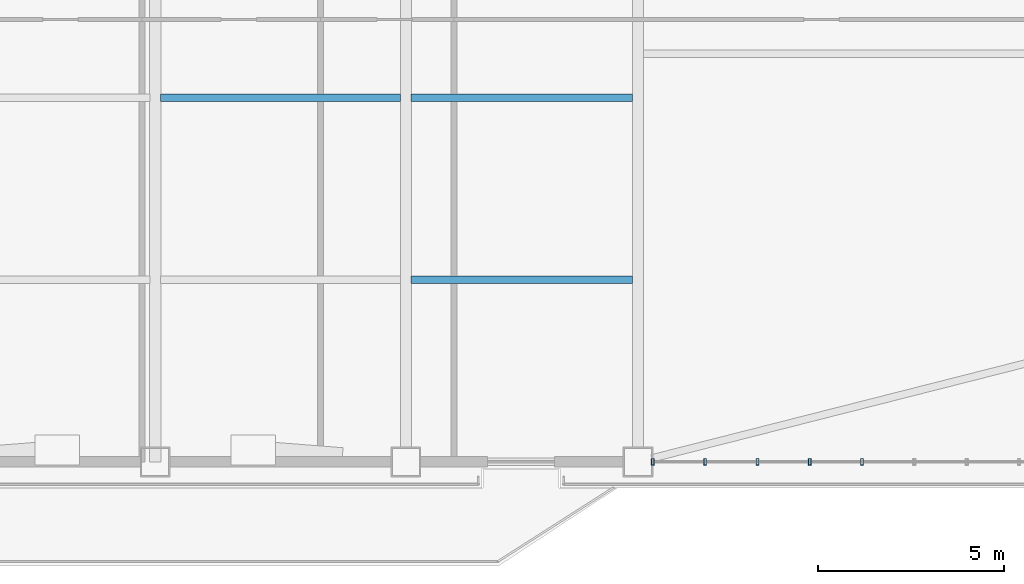
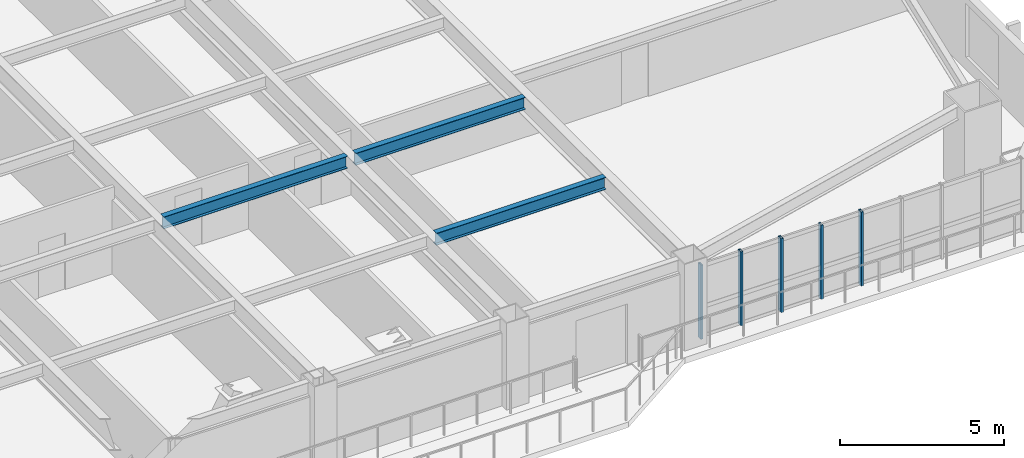
# One storey, part 4 of 17: 5 members, 3 beams, 1 element without a shape of its own.
"""IFC4 building model written with IfcOpenShell, lengths in metres."""

from ifc_helpers import new_model, si_unit, direction, frame, origin, origin_2d, place, context, subcontext, project, spatial, hollow_rectangle, i_section, extrude, source, transform, mapped, material, layer, layer_set, material_profile, profile_set, type_object, element, aggregate, save


model = new_model("IFC4")

# Units and contexts
model_context = context("Model", 3, precision=1e-05, world=origin(), true_north=direction((0.0, 1.0)))
body_context = subcontext(model_context, "Body", "Model", "MODEL_VIEW")
ifc_project = project(units=[si_unit("LENGTHUNIT", "METRE"), si_unit("AREAUNIT", "SQUARE_METRE"), si_unit("VOLUMEUNIT", "CUBIC_METRE"), si_unit("PLANEANGLEUNIT", "RADIAN"), si_unit("MASSUNIT", "GRAM", prefix="KILO")], contexts=[model_context])

# Site, building, storey
site_placement = place(None, origin())
site = spatial("IfcSite", under=ifc_project, at=site_placement, CompositionType="ELEMENT")
building_placement = place(site_placement, origin())
building = spatial("IfcBuilding", under=site, at=building_placement, Name="Giltprow Tower", CompositionType="ELEMENT")
storey_placement = place(building_placement, frame((0.0, 0.0, 141.199951171875)))
storey = spatial("IfcBuildingStorey", under=building, at=storey_placement, Name="L34", CompositionType="ELEMENT", Elevation=141.199951171875)

# Beams
ifc_material_1 = material(Name="Structural steel Q355B", Category="steel")
ifc_material_profile_1 = material_profile(ifc_material_1, i_section(OverallWidth=0.199951171875, OverallDepth=0.449951171875, WebThickness=0.009033203125, FlangeThickness=0.013916015625, at=origin_2d()), Name="HN 450x200x9x14")
ifc_profile_set_1 = profile_set([ifc_material_profile_1], Name="Structural steel Q355B")
beam_type = type_object("IfcBeamType", Name="BM-JOIST-HN450", PredefinedType="JOIST", material=ifc_profile_set_1)
shared_shape_1 = source(origin(), body_context, "Body", "SweptSolid", [
    extrude(i_section(OverallWidth=0.199951171875, OverallDepth=0.449951171875, WebThickness=0.009033203125, FlangeThickness=0.013916015625, at=origin_2d()), origin(), (0.0, 0.0, 1.0), 6.4599609375),
])
beam_placement = place(storey_placement, frame((37.695068359375, 17.846923828125, 2.9951171875), z_axis=(1.0, 0.0, 0.0), x_axis=(0.0, 1.0, 0.0)))
element("IfcBeam", 1, at=beam_placement, inside=storey, type_object=beam_type, Name="L34 Composite Floor Joist 2-3", PredefinedType="JOIST", context=body_context, shape_type="MappedRepresentation", body=[
    mapped(shared_shape_1, transform((0.0, 0.0, 0.0), x_axis=(1.0, 0.0, 0.0), y_axis=(0.0, 1.0, 0.0), z_axis=(0.0, 0.0, 1.0), scale=1.0)),
])
shared_shape_2 = source(origin(), body_context, "Body", "SweptSolid", [
    extrude(i_section(OverallWidth=0.199951171875, OverallDepth=0.449951171875, WebThickness=0.009033203125, FlangeThickness=0.013916015625, at=origin_2d()), origin(), (0.0, 0.0, 1.0), 5.9599609375),
])
for number, where, z_axis, x_axis, name in (
    (2, (44.445068359375, 12.946044921875, 2.9951171875), (1.0, 0.0, 0.0), (0.0, 1.0, 0.0), "L34 Composite Floor Joist 1-4"),
    (3, (44.445068359375, 17.846923828125, 2.9951171875), (1.0, 0.0, 0.0), (0.0, 1.0, 0.0), "L34 Composite Floor Joist 2-4"),
):
    element("IfcBeam", number, at=place(storey_placement, frame(where, z_axis=z_axis, x_axis=x_axis)), inside=storey, type_object=beam_type, Name=name, PredefinedType="JOIST", context=body_context, shape_type="MappedRepresentation", body=[
        mapped(shared_shape_2, transform((0.0, 0.0, 0.0), x_axis=(1.0, 0.0, 0.0), y_axis=(0.0, 1.0, 0.0), z_axis=(0.0, 0.0, 1.0), scale=1.0)),
    ])

# Curtain wall, members
ifc_material_2 = material(Name="Anodized bronze", Category="metal")
ifc_layer = layer(ifc_material_2, 0.179931640625, Name="Anodized bronze")
ifc_layer_set = layer_set([ifc_layer], Name="Anodized bronze")
curtain_wall_type = type_object("IfcCurtainWallType", Name="CW-HTL-BRONZE", PredefinedType="NOTDEFINED", material=ifc_layer_set)
curtain_wall_placement = place(storey_placement, origin())
curtain_wall = element("IfcCurtainWall", 4, at=curtain_wall_placement, inside=storey, type_object=curtain_wall_type, Name="L34 South Recessed Curtain Wall 6", PredefinedType="NOTDEFINED")
ifc_material_profile_2 = material_profile(ifc_material_2, hollow_rectangle(XDim=0.074951171875, YDim=0.179931640625, WallThickness=0.008056640625, at=origin_2d()), Name="RHS 180x75x8")
ifc_profile_set_2 = profile_set([ifc_material_profile_2], Name="Anodized bronze")
member_type = type_object("IfcMemberType", Name="CW-MULLION-180x75", PredefinedType="MULLION", material=ifc_profile_set_2)
shared_shape_3 = source(origin(), body_context, "Body", "SweptSolid", [
    extrude(hollow_rectangle(XDim=0.074951171875, YDim=0.179931640625, WallThickness=0.008056640625, at=origin_2d()), origin(), (0.0, 0.0, 1.0), 2.755126953125),
])
member_1_placement = place(storey_placement, frame((50.949951171875, 8.044921875, -0.02001953125), z_axis=(0.0, 0.0, 1.0), x_axis=(1.0, 0.0, 0.0)))
member_1 = element("IfcMember", 5, at=member_1_placement, type_object=member_type, Name="L34 South Recessed Curtain Wall 6 Mullion 1", PredefinedType="MULLION", context=body_context, shape_type="MappedRepresentation", body=[
    mapped(shared_shape_3, transform((0.0, 0.0, 0.0), x_axis=(1.0, 0.0, 0.0), y_axis=(0.0, 1.0, 0.0), z_axis=(0.0, 0.0, 1.0), scale=1.0)),
])
member_2_placement = place(storey_placement, frame((52.35888671875, 8.044921875, -0.02001953125), z_axis=(0.0, 0.0, 1.0), x_axis=(1.0, 0.0, 0.0)))
member_2 = element("IfcMember", 6, at=member_2_placement, type_object=member_type, Name="L34 South Recessed Curtain Wall 6 Mullion 2", PredefinedType="MULLION", context=body_context, shape_type="MappedRepresentation", body=[
    mapped(shared_shape_3, transform((0.0, 0.0, 0.0), x_axis=(1.0, 0.0, 0.0), y_axis=(0.0, 1.0, 0.0), z_axis=(0.0, 0.0, 1.0), scale=1.0)),
])
member_3_placement = place(storey_placement, frame((53.76806640625, 8.044921875, -0.02001953125), z_axis=(0.0, 0.0, 1.0), x_axis=(1.0, 0.0, 0.0)))
member_3 = element("IfcMember", 7, at=member_3_placement, type_object=member_type, Name="L34 South Recessed Curtain Wall 6 Mullion 3", PredefinedType="MULLION", context=body_context, shape_type="MappedRepresentation", body=[
    mapped(shared_shape_3, transform((0.0, 0.0, 0.0), x_axis=(1.0, 0.0, 0.0), y_axis=(0.0, 1.0, 0.0), z_axis=(0.0, 0.0, 1.0), scale=1.0)),
])
member_4_placement = place(storey_placement, frame((55.177001953125, 8.044921875, -0.02001953125), z_axis=(0.0, 0.0, 1.0), x_axis=(1.0, 0.0, 0.0)))
member_4 = element("IfcMember", 8, at=member_4_placement, type_object=member_type, Name="L34 South Recessed Curtain Wall 6 Mullion 4", PredefinedType="MULLION", context=body_context, shape_type="MappedRepresentation", body=[
    mapped(shared_shape_3, transform((0.0, 0.0, 0.0), x_axis=(1.0, 0.0, 0.0), y_axis=(0.0, 1.0, 0.0), z_axis=(0.0, 0.0, 1.0), scale=1.0)),
])
member_5_placement = place(storey_placement, frame((56.5849609375, 8.044921875, -0.02001953125), z_axis=(0.0, 0.0, 1.0), x_axis=(1.0, 0.0, 0.0)))
member_5 = element("IfcMember", 9, at=member_5_placement, type_object=member_type, Name="L34 South Recessed Curtain Wall 6 Mullion 5", PredefinedType="MULLION", context=body_context, shape_type="MappedRepresentation", body=[
    mapped(shared_shape_3, transform((0.0, 0.0, 0.0), x_axis=(1.0, 0.0, 0.0), y_axis=(0.0, 1.0, 0.0), z_axis=(0.0, 0.0, 1.0), scale=1.0)),
])
aggregate(curtain_wall, [member_1, member_2, member_3, member_4, member_5])

save(model, "model.ifc")
